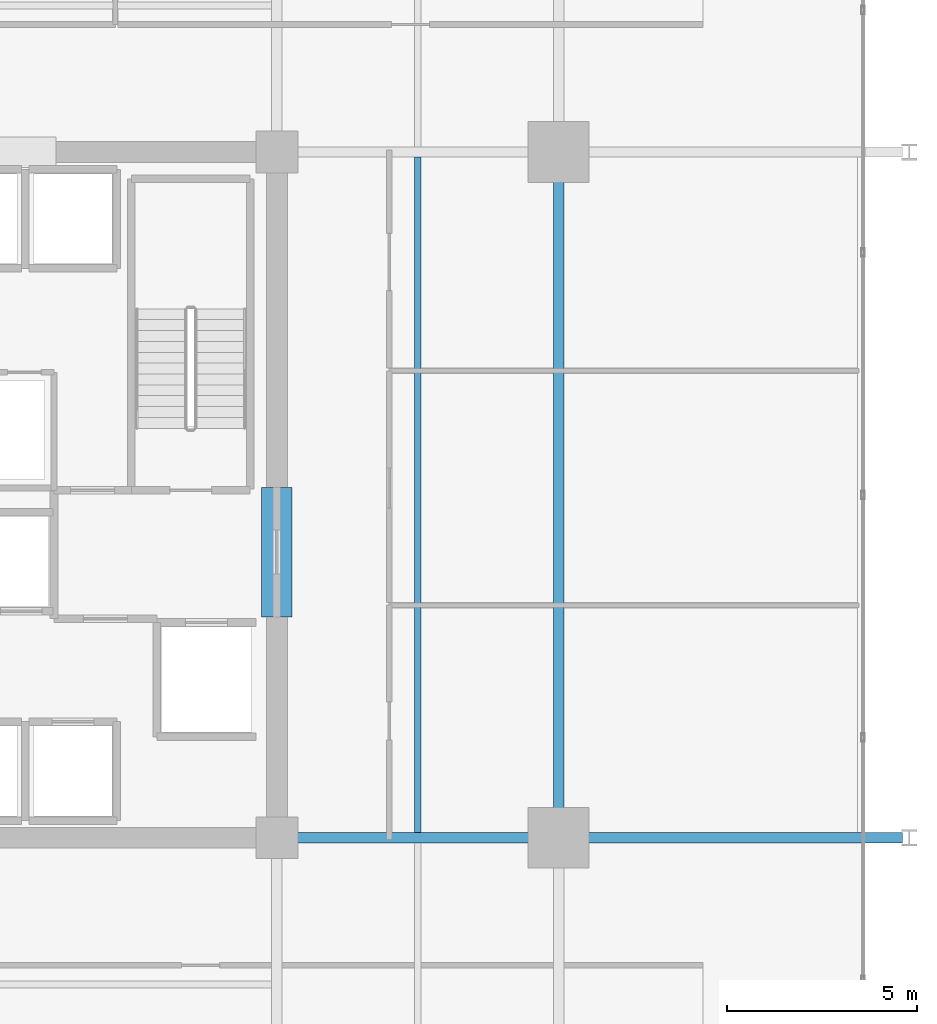
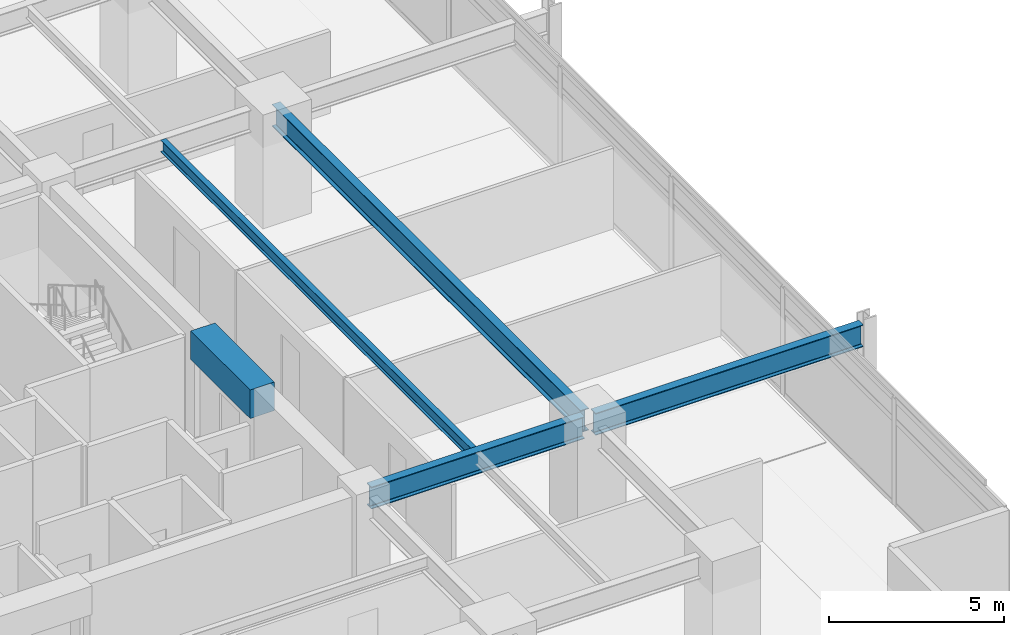
# One storey, part 3 of 23: 5 beams.
"""IFC4 building model written with IfcOpenShell, lengths in metres."""

from ifc_helpers import new_model, si_unit, direction, frame, origin, origin_2d, place, context, subcontext, project, spatial, rectangle, i_section, extrude, material, material_profile, profile_set, type_object, element, save


model = new_model("IFC4")

# Units and contexts
model_context = context("Model", 3, precision=1e-05, world=origin(), true_north=direction((0.0, 1.0)))
body_context = subcontext(model_context, "Body", "Model", "MODEL_VIEW")
ifc_project = project(units=[si_unit("LENGTHUNIT", "METRE"), si_unit("AREAUNIT", "SQUARE_METRE"), si_unit("VOLUMEUNIT", "CUBIC_METRE"), si_unit("PLANEANGLEUNIT", "RADIAN"), si_unit("MASSUNIT", "GRAM", prefix="KILO")], contexts=[model_context])

# Site, building, storey
site_placement = place(None, origin())
site = spatial("IfcSite", under=ifc_project, at=site_placement, CompositionType="ELEMENT")
building_placement = place(site_placement, origin())
building = spatial("IfcBuilding", under=site, at=building_placement, Name="Kovane Verandah Tower", CompositionType="ELEMENT")
storey_placement = place(building_placement, frame((0.0, 0.0, 136.39990234375)))
storey = spatial("IfcBuildingStorey", under=building, at=storey_placement, Name="L31", CompositionType="ELEMENT", Elevation=136.39990234375)

# Beams
ifc_material_1 = material(Name="Concrete C60/75", Category="concrete")
ifc_material_profile_1 = material_profile(ifc_material_1, rectangle(XDim=0.800048828125, YDim=1.0, at=origin_2d()), Name="RCB800x1000")
ifc_profile_set_1 = profile_set([ifc_material_profile_1], Name="Concrete C60/75")
beam_type_1 = type_object("IfcBeamType", Name="BM-LINTEL-800x1000", PredefinedType="LINTEL", material=ifc_profile_set_1)
beam_1_placement = place(storey_placement, frame((51.0, 24.300048828125, 3.275146484375), z_axis=(0.0, 1.0, 0.0), x_axis=(-1.0, 0.0, 0.0)))
element("IfcBeam", 1, at=beam_1_placement, inside=storey, type_object=beam_type_1, Name="L31 Core Coupling Lintel CL-E", PredefinedType="LINTEL", context=body_context, shape_type="SweptSolid", body=[
    extrude(rectangle(XDim=0.800048828125, YDim=1.0, at=origin_2d()), origin(), (0.0, 0.0, 1.0), 3.39990234375),
])
ifc_material_2 = material(Name="Steel S355", Category="steel")
ifc_material_profile_2 = material_profile(ifc_material_2, i_section(OverallWidth=0.26806640625, OverallDepth=0.769775390625, WebThickness=0.015625, FlangeThickness=0.025390625, FilletRadius=0.0166015625, at=origin_2d()), Name="UB762x267x197")
ifc_profile_set_2 = profile_set([ifc_material_profile_2], Name="Steel S355")
beam_type_2 = type_object("IfcBeamType", Name="BM-UB762x197", PredefinedType="BEAM", material=ifc_profile_set_2)
beam_2_placement = place(storey_placement, frame((58.39990234375, 18.679931640625, 3.39013671875), z_axis=(0.0, 1.0, 0.0), x_axis=(-1.0, 0.0, 0.0)))
element("IfcBeam", 2, at=beam_2_placement, inside=storey, type_object=beam_type_2, Name="L31 Primary Tower Girder G-RE2", PredefinedType="BEAM", context=body_context, shape_type="SweptSolid", body=[
    extrude(i_section(OverallWidth=0.26806640625, OverallDepth=0.769775390625, WebThickness=0.015625, FlangeThickness=0.025390625, FilletRadius=0.0166015625, at=origin_2d()), origin(), (0.0, 0.0, 1.0), 17.64013671875),
])
beam_3_placement = place(storey_placement, frame((51.179931640625, 18.5, 3.39013671875), z_axis=(1.0, 0.0, 0.0), x_axis=(0.0, 1.0, 0.0)))
element("IfcBeam", 3, at=beam_3_placement, inside=storey, type_object=beam_type_2, Name="L31 Primary Tower Girder G-E1", PredefinedType="BEAM", context=body_context, shape_type="SweptSolid", body=[
    extrude(i_section(OverallWidth=0.26806640625, OverallDepth=0.769775390625, WebThickness=0.015625, FlangeThickness=0.025390625, FilletRadius=0.0166015625, at=origin_2d()), origin(), (0.0, 0.0, 1.0), 7.0400390625),
])
beam_4_placement = place(storey_placement, frame((58.580078125, 18.5, 3.375244140625), z_axis=(1.0, 0.0, 0.0), x_axis=(0.0, 1.0, 0.0)))
element("IfcBeam", 4, at=beam_4_placement, inside=storey, type_object=beam_type_2, Name="L31 Primary Tower Girder G-VE1", PredefinedType="BEAM", context=body_context, shape_type="SweptSolid", body=[
    extrude(i_section(OverallWidth=0.26806640625, OverallDepth=0.769775390625, WebThickness=0.015625, FlangeThickness=0.025390625, FilletRadius=0.0166015625, at=origin_2d()), origin(), (0.0, 0.0, 1.0), 8.83984375),
])
ifc_material_profile_3 = material_profile(ifc_material_2, i_section(OverallWidth=0.179443359375, OverallDepth=0.412841796875, WebThickness=0.009521484375, FlangeThickness=0.01611328125, FilletRadius=0.01025390625, at=origin_2d()), Name="UB406x178x74")
ifc_profile_set_3 = profile_set([ifc_material_profile_3], Name="Steel S355")
beam_type_3 = type_object("IfcBeamType", Name="JST-UB406x74", PredefinedType="JOIST", material=ifc_profile_set_3)
beam_5_placement = place(storey_placement, frame((54.699951171875, 18.632080078125, 3.568603515625), z_axis=(0.0, 1.0, 0.0), x_axis=(-1.0, 0.0, 0.0)))
element("IfcBeam", 5, at=beam_5_placement, inside=storey, type_object=beam_type_3, Name="L31 Secondary Composite Joist J-E1", PredefinedType="JOIST", context=body_context, shape_type="SweptSolid", body=[
    extrude(i_section(OverallWidth=0.179443359375, OverallDepth=0.412841796875, WebThickness=0.009521484375, FlangeThickness=0.01611328125, FilletRadius=0.01025390625, at=origin_2d()), origin(), (0.0, 0.0, 1.0), 17.73583984375),
])

save(model, "model.ifc")
